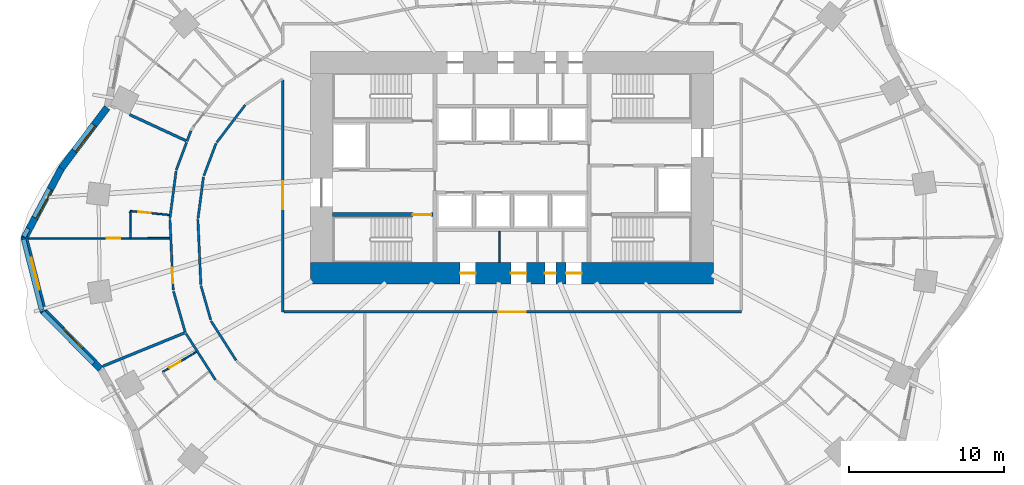
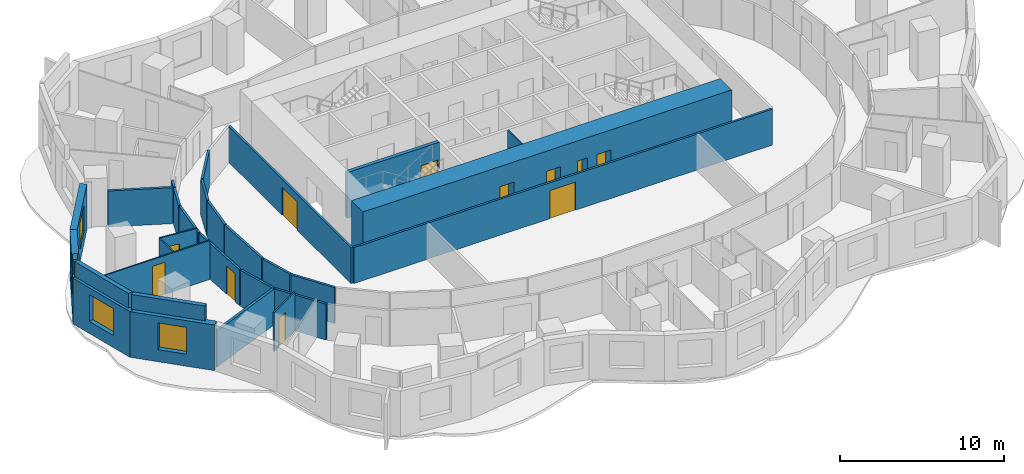
# One storey, part 4 of 11: 30 walls, 11 doors, 4 windows, 15 openings.
"""IFC4 building model written with IfcOpenShell, lengths in metres."""

from ifc_helpers import new_model, si_unit, direction, frame, frame_2d, origin, place, context, subcontext, project, spatial, rectangle, extrude, material, layer, layer_set, type_object, element, fill, save


model = new_model("IFC4")

# Units and contexts
model_context = context("Model", 3, precision=1e-05, world=origin(), true_north=direction((0.0, 1.0)))
body_context = subcontext(model_context, "Body", "Model", "MODEL_VIEW")
ifc_project = project(units=[si_unit("LENGTHUNIT", "METRE"), si_unit("AREAUNIT", "SQUARE_METRE"), si_unit("VOLUMEUNIT", "CUBIC_METRE"), si_unit("PLANEANGLEUNIT", "RADIAN"), si_unit("MASSUNIT", "GRAM", prefix="KILO")], contexts=[model_context])

# Site, building, storey
site_placement = place(None, origin())
site = spatial("IfcSite", under=ifc_project, at=site_placement, CompositionType="ELEMENT")
building_placement = place(site_placement, origin())
building = spatial("IfcBuilding", under=site, at=building_placement, Name="Rubra Terraces Tower", CompositionType="ELEMENT")
storey_placement = place(building_placement, frame((0.0, 0.0, 59.10009765625)))
storey = spatial("IfcBuildingStorey", under=building, at=storey_placement, Name="L12", CompositionType="ELEMENT", Elevation=59.10009765625)

# Walls
ifc_material_1 = material(Name="Twin plasterboard on staggered steel stud, acoustic mineral wool", Category="steel")
ifc_layer_1 = layer(ifc_material_1, 0.175048828125)
ifc_layer_set_1 = layer_set([ifc_layer_1], Name="Twin plasterboard on staggered steel stud, acoustic mineral wool")
wall_type_1 = type_object("IfcWallType", Name="ACOUSTIC PARTY WALL 175", PredefinedType="PARTITIONING", material=ifc_layer_set_1)
wall_1_placement = place(storey_placement, frame((-24.669189453125, 7.9287109375, 0.0), z_axis=(0.0, 0.0, 1.0), x_axis=(0.907438898331, -0.420184061807, 0.0)))
element("IfcWall", 1, at=wall_1_placement, inside=storey, type_object=wall_type_1, Name="PARTITION", PredefinedType="PARTITIONING", context=body_context, shape_type="SweptSolid", body=[
    extrude(rectangle(XDim=4.00048828125, YDim=0.175048828125, at=frame_2d((2.000244140625, 0.0))), origin(), (0.0, 0.0, 1.0), 2.679931640625),
])
wall_2_placement = place(storey_placement, frame((-26.414794921875, -8.309326171875, 0.0), z_axis=(0.0, 0.0, 1.0), x_axis=(0.925952792173, 0.377639281149, 0.0)))
element("IfcWall", 2, at=wall_2_placement, inside=storey, type_object=wall_type_1, Name="PARTITION", PredefinedType="PARTITIONING", context=body_context, shape_type="SweptSolid", body=[
    extrude(rectangle(XDim=5.6845703125, YDim=0.175048828125, at=frame_2d((2.84228515625, 0.0))), origin(), (0.0, 0.0, 1.0), 2.679931640625),
])

# Wall, opening, window
ifc_material_2 = material(Name="Brick masonry red-brown", Category="masonry")
ifc_layer_2 = layer(ifc_material_2, 0.449951171875)
ifc_layer_set_2 = layer_set([ifc_layer_2], Name="Brick masonry red-brown")
wall_type_2 = type_object("IfcWallType", Name="Brick facade wall 450", PredefinedType="SOLIDWALL", material=ifc_layer_set_2)
wall_3_placement = place(storey_placement, frame((-26.126220703125, 8.3837890625, 0.0), z_axis=(0.0, 0.0, 1.0), x_axis=(-0.602408101465, -0.798188248028, 0.0)))
wall_3 = element("IfcWall", 3, at=wall_3_placement, inside=storey, type_object=wall_type_2, Name="Facade wall L12 bay 19", PredefinedType="SOLIDWALL", context=body_context, shape_type="SweptSolid", body=[
    extrude(rectangle(XDim=4.909423828125, YDim=0.449951171875, at=frame_2d((2.45458984375, 0.0))), origin(), (0.0, 0.0, 1.0), 3.39990234375),
])
opening_1_placement = place(wall_3_placement, frame((1.40478515625, 0.0, 0.89990234375)))
opening_1 = element("IfcOpeningElement", 4, at=opening_1_placement, cuts=wall_3, Name="Opening W1", PredefinedType="OPENING", context=body_context, shape_type="SweptSolid", body=[
    extrude(rectangle(XDim=2.10009765625, YDim=2.0, at=frame_2d((1.050048828125, 1.0))), frame((0.0, 0.23486328125, 0.0), z_axis=(0.0, -1.0, 0.0), x_axis=(1.0, 0.0, 0.0)), (0.0, 0.0, 1.0), 0.469970703125),
])
ifc_material_3 = material(Name="Clear glass in aluminium frame", Category="aluminium")
window_type_1 = type_object("IfcWindowType", Name="Fixed deep-set window 2100 x 2000", PartitioningType="SINGLE_PANEL", PredefinedType="WINDOW", material=ifc_material_3)
window_1_placement = place(opening_1_placement, origin())
window_1 = element("IfcWindow", 5, at=window_1_placement, inside=storey, type_object=window_type_1, Name="Window L12 bay 19", OverallHeight=2.0, OverallWidth=2.10009765625, PartitioningType="SINGLE_PANEL", PredefinedType="WINDOW", context=body_context, shape_type="SweptSolid", body=[
    extrude(rectangle(XDim=2.10009765625, YDim=2.0, at=frame_2d((1.050048828125, 1.0))), frame((0.0, 0.135009765625, 0.0), z_axis=(0.0, -1.0, 0.0), x_axis=(1.0, 0.0, 0.0)), (0.0, 0.0, 1.0), 0.06005859375),
])
fill(opening_1, window_1)

wall_4_placement = place(storey_placement, frame((-29.065185546875, 4.4951171875, 0.0), z_axis=(0.0, 0.0, 1.0), x_axis=(-0.469010051546, -0.883192828067, 0.0)))
wall_4 = element("IfcWall", 6, at=wall_4_placement, inside=storey, type_object=wall_type_2, Name="Facade wall L12 bay 20", PredefinedType="SOLIDWALL", context=body_context, shape_type="SweptSolid", body=[
    extrude(rectangle(XDim=5.20556640625, YDim=0.449951171875, at=frame_2d((2.602783203125, 0.0))), origin(), (0.0, 0.0, 1.0), 3.39990234375),
])
opening_2_placement = place(wall_4_placement, frame((1.552734375, 0.0, 0.89990234375)))
opening_2 = element("IfcOpeningElement", 7, at=opening_2_placement, cuts=wall_4, Name="Opening W1", PredefinedType="OPENING", context=body_context, shape_type="SweptSolid", body=[
    extrude(rectangle(XDim=2.10009765625, YDim=2.0, at=frame_2d((1.050048828125, 1.0))), frame((0.0, 0.23486328125, 0.0), z_axis=(0.0, -1.0, 0.0), x_axis=(1.0, 0.0, 0.0)), (0.0, 0.0, 1.0), 0.469970703125),
])
window_2_placement = place(opening_2_placement, origin())
window_2 = element("IfcWindow", 8, at=window_2_placement, inside=storey, type_object=window_type_1, Name="Window L12 bay 20", OverallHeight=2.0, OverallWidth=2.10009765625, PartitioningType="SINGLE_PANEL", PredefinedType="WINDOW", context=body_context, shape_type="SweptSolid", body=[
    extrude(rectangle(XDim=2.10009765625, YDim=2.0, at=frame_2d((1.050048828125, 1.0))), frame((0.0, 0.135009765625, 0.0), z_axis=(0.0, -1.0, 0.0), x_axis=(1.0, 0.0, 0.0)), (0.0, 0.0, 1.0), 0.06005859375),
])
fill(opening_2, window_2)

wall_5_placement = place(storey_placement, frame((-31.489013671875, 0.0556640625, 0.0), z_axis=(0.0, 0.0, 1.0), x_axis=(0.247283399528, -0.968943197674, 0.0)))
wall_5 = element("IfcWall", 9, at=wall_5_placement, inside=storey, type_object=wall_type_2, Name="Facade wall L12 bay 21", PredefinedType="SOLIDWALL", context=body_context, shape_type="SweptSolid", body=[
    extrude(rectangle(XDim=4.98193359375, YDim=0.449951171875, at=frame_2d((2.490966796875, 0.0))), origin(), (0.0, 0.0, 1.0), 3.39990234375),
])
opening_3_placement = place(wall_5_placement, frame((1.44091796875, 0.0, 0.89990234375)))
opening_3 = element("IfcOpeningElement", 10, at=opening_3_placement, cuts=wall_5, Name="Opening W1", PredefinedType="OPENING", context=body_context, shape_type="SweptSolid", body=[
    extrude(rectangle(XDim=2.10009765625, YDim=2.0, at=frame_2d((1.050048828125, 1.0))), frame((0.0, 0.23486328125, 0.0), z_axis=(0.0, -1.0, 0.0), x_axis=(1.0, 0.0, 0.0)), (0.0, 0.0, 1.0), 0.469970703125),
])
window_3_placement = place(opening_3_placement, origin())
window_3 = element("IfcWindow", 11, at=window_3_placement, inside=storey, type_object=window_type_1, Name="Window L12 bay 21", OverallHeight=2.0, OverallWidth=2.10009765625, PartitioningType="SINGLE_PANEL", PredefinedType="WINDOW", context=body_context, shape_type="SweptSolid", body=[
    extrude(rectangle(XDim=2.10009765625, YDim=2.0, at=frame_2d((1.050048828125, 1.0))), frame((0.0, 0.135009765625, 0.0), z_axis=(0.0, -1.0, 0.0), x_axis=(1.0, 0.0, 0.0)), (0.0, 0.0, 1.0), 0.06005859375),
])
fill(opening_3, window_3)

wall_6_placement = place(storey_placement, frame((-30.310791015625, -4.673095703125, 0.0), z_axis=(0.0, 0.0, 1.0), x_axis=(0.701580441607, -0.712590263724, 0.0)))
wall_6 = element("IfcWall", 12, at=wall_6_placement, inside=storey, type_object=wall_type_2, Name="Facade wall L12 bay 22", PredefinedType="SOLIDWALL", context=body_context, shape_type="SweptSolid", body=[
    extrude(rectangle(XDim=5.3662109375, YDim=0.449951171875, at=frame_2d((2.68310546875, 0.0))), origin(), (0.0, 0.0, 1.0), 3.39990234375),
])
opening_4_placement = place(wall_6_placement, frame((1.783203125, 0.0, 0.89990234375)))
opening_4 = element("IfcOpeningElement", 13, at=opening_4_placement, cuts=wall_6, Name="Opening W6", PredefinedType="OPENING", context=body_context, shape_type="SweptSolid", body=[
    extrude(rectangle(XDim=1.800048828125, YDim=2.0, at=frame_2d((0.89990234375, 1.0))), frame((0.0, 0.23486328125, 0.0), z_axis=(0.0, -1.0, 0.0), x_axis=(1.0, 0.0, 0.0)), (0.0, 0.0, 1.0), 0.469970703125),
])
window_type_2 = type_object("IfcWindowType", Name="Fixed deep-set window at wind fin 1800 x 2000", PartitioningType="SINGLE_PANEL", PredefinedType="WINDOW", material=ifc_material_3)
window_4_placement = place(opening_4_placement, origin())
window_4 = element("IfcWindow", 14, at=window_4_placement, inside=storey, type_object=window_type_2, Name="Window L12 bay 22", OverallHeight=2.0, OverallWidth=1.800048828125, PartitioningType="SINGLE_PANEL", PredefinedType="WINDOW", context=body_context, shape_type="SweptSolid", body=[
    extrude(rectangle(XDim=1.800048828125, YDim=2.0, at=frame_2d((0.89990234375, 1.0))), frame((0.0, 0.135009765625, 0.0), z_axis=(0.0, -1.0, 0.0), x_axis=(1.0, 0.0, 0.0)), (0.0, 0.0, 1.0), 0.06005859375),
])
fill(opening_4, window_4)

# Walls
ifc_layer_3 = layer(ifc_material_2, 0.300048828125)
ifc_layer_set_3 = layer_set([ifc_layer_3], Name="Brick masonry red-brown")
wall_type_3 = type_object("IfcWallType", Name="Brick parapet 300", PredefinedType="PARAPET", material=ifc_layer_set_3)
wall_7_placement = place(storey_placement, frame((-31.2265625, 0.584716796875, 3.599853515625), z_axis=(0.0, 0.0, 1.0), x_axis=(-0.469205161074, -0.883089189619, 0.0)))
element("IfcWall", 15, at=wall_7_placement, inside=storey, type_object=wall_type_3, Name="Parapet L12 bay 20", PredefinedType="PARAPET", context=body_context, shape_type="SweptSolid", body=[
    extrude(rectangle(XDim=0.595703125, YDim=0.300048828125, at=frame_2d((0.2978515625, 0.0))), origin(), (0.0, 0.0, 1.0), 1.10009765625),
])
wall_8_placement = place(storey_placement, frame((-31.525634765625, -0.1044921875, 3.599853515625), z_axis=(0.0, 0.0, 1.0), x_axis=(0.247310993439, -0.96893615503, 0.0)))
element("IfcWall", 16, at=wall_8_placement, inside=storey, type_object=wall_type_3, Name="Parapet L12 bay 21", PredefinedType="PARAPET", context=body_context, shape_type="SweptSolid", body=[
    extrude(rectangle(XDim=4.724609375, YDim=0.300048828125, at=frame_2d((2.3623046875, 0.0))), origin(), (0.0, 0.0, 1.0), 1.10009765625),
])
wall_9_placement = place(storey_placement, frame((-30.290283203125, -4.801025390625, 3.599853515625), z_axis=(0.0, 0.0, 1.0), x_axis=(0.701637806996, -0.712533780107, 0.0)))
element("IfcWall", 17, at=wall_9_placement, inside=storey, type_object=wall_type_3, Name="Parapet L12 bay 22", PredefinedType="PARAPET", context=body_context, shape_type="SweptSolid", body=[
    extrude(rectangle(XDim=4.66064453125, YDim=0.300048828125, at=frame_2d((2.330322265625, 0.0))), origin(), (0.0, 0.0, 1.0), 1.10009765625),
])

# Wall, openings, doors
ifc_material_4 = material(Name="Concrete C70", Category="concrete")
ifc_layer_4 = layer(ifc_material_4, 1.39990234375)
ifc_layer_set_4 = layer_set([ifc_layer_4], Name="Concrete C70")
wall_type_4 = type_object("IfcWallType", Name="CORE WALL 1400 C70", PredefinedType="SHEAR", material=ifc_layer_set_4)
wall_10_placement = place(storey_placement, frame((-13.0, -2.300048828125, 0.0), z_axis=(0.0, 0.0, 1.0), x_axis=(1.0, 0.0, 0.0)))
wall_10 = element("IfcWall", 18, at=wall_10_placement, inside=storey, type_object=wall_type_4, Name="CORE WALL S L12", PredefinedType="SHEAR", context=body_context, shape_type="SweptSolid", body=[
    extrude(rectangle(XDim=26.0, YDim=1.39990234375, at=frame_2d((13.0, 0.0))), origin(), (0.0, 0.0, 1.0), 3.599853515625),
])
opening_5_placement = place(wall_10_placement, frame((9.64990234375, 0.0, 0.0)))
opening_5 = element("IfcOpeningElement", 19, at=opening_5_placement, cuts=wall_10, Name="Opening L12.C19", PredefinedType="OPENING", context=body_context, shape_type="SweptSolid", body=[
    extrude(rectangle(XDim=1.0, YDim=2.10009765625, at=frame_2d((0.5, 1.050048828125))), frame((0.0, 0.7099609375, 0.0), z_axis=(0.0, -1.0, 0.0), x_axis=(1.0, 0.0, 0.0)), (0.0, 0.0, 1.0), 1.419921875),
])
opening_6_placement = place(wall_10_placement, frame((12.925048828125, 0.0, 0.0)))
opening_6 = element("IfcOpeningElement", 20, at=opening_6_placement, cuts=wall_10, Name="Opening L12.C20", PredefinedType="OPENING", context=body_context, shape_type="SweptSolid", body=[
    extrude(rectangle(XDim=1.0, YDim=2.10009765625, at=frame_2d((0.5, 1.050048828125))), frame((0.0, 0.7099609375, 0.0), z_axis=(0.0, -1.0, 0.0), x_axis=(1.0, 0.0, 0.0)), (0.0, 0.0, 1.0), 1.419921875),
])
opening_7_placement = place(wall_10_placement, frame((15.125, 0.0, 0.0)))
opening_7 = element("IfcOpeningElement", 21, at=opening_7_placement, cuts=wall_10, Name="Opening L12.C21", PredefinedType="OPENING", context=body_context, shape_type="SweptSolid", body=[
    extrude(rectangle(XDim=0.699951171875, YDim=2.10009765625, at=frame_2d((0.35009765625, 1.050048828125))), frame((0.0, 0.7099609375, 0.0), z_axis=(0.0, -1.0, 0.0), x_axis=(1.0, 0.0, 0.0)), (0.0, 0.0, 1.0), 1.419921875),
])
opening_8_placement = place(wall_10_placement, frame((16.5, 0.0, 0.0)))
opening_8 = element("IfcOpeningElement", 22, at=opening_8_placement, cuts=wall_10, Name="Opening L12.C22", PredefinedType="OPENING", context=body_context, shape_type="SweptSolid", body=[
    extrude(rectangle(XDim=1.0, YDim=2.10009765625, at=frame_2d((0.5, 1.050048828125))), frame((0.0, 0.7099609375, 0.0), z_axis=(0.0, -1.0, 0.0), x_axis=(1.0, 0.0, 0.0)), (0.0, 0.0, 1.0), 1.419921875),
])
ifc_material_5 = material(Name="Painted steel", Category="steel")
door_type_1 = type_object("IfcDoorType", Name="Fire door 1000x2100 single", OperationType="NOTDEFINED", PredefinedType="DOOR", material=ifc_material_5)
door_1_placement = place(opening_5_placement, origin())
door_1 = element("IfcDoor", 23, at=door_1_placement, inside=storey, type_object=door_type_1, Name="Linen store door", OperationType="SINGLE_SWING_LEFT", OverallHeight=2.10009765625, OverallWidth=1.0, PredefinedType="DOOR", context=body_context, shape_type="SweptSolid", body=[
    extrude(rectangle(XDim=1.0, YDim=2.10009765625, at=frame_2d((0.5, 1.050048828125))), frame((0.0, 0.02490234375, 0.0), z_axis=(0.0, -1.0, 0.0), x_axis=(1.0, 0.0, 0.0)), (0.0, 0.0, 1.0), 0.050048828125),
])
fill(opening_5, door_1)
door_2_placement = place(opening_6_placement, origin())
door_2 = element("IfcDoor", 24, at=door_2_placement, inside=storey, type_object=door_type_1, Name="Guest pantry door", OperationType="SINGLE_SWING_RIGHT", OverallHeight=2.10009765625, OverallWidth=1.0, PredefinedType="DOOR", context=body_context, shape_type="SweptSolid", body=[
    extrude(rectangle(XDim=1.0, YDim=2.10009765625, at=frame_2d((0.5, 1.050048828125))), frame((0.0, 0.02490234375, 0.0), z_axis=(0.0, -1.0, 0.0), x_axis=(1.0, 0.0, 0.0)), (0.0, 0.0, 1.0), 0.050048828125),
])
fill(opening_6, door_2)
door_3_placement = place(opening_8_placement, origin())
door_3 = element("IfcDoor", 25, at=door_3_placement, inside=storey, type_object=door_type_1, Name="Refuse room door", OperationType="SINGLE_SWING_RIGHT", OverallHeight=2.10009765625, OverallWidth=1.0, PredefinedType="DOOR", context=body_context, shape_type="SweptSolid", body=[
    extrude(rectangle(XDim=1.0, YDim=2.10009765625, at=frame_2d((0.5, 1.050048828125))), frame((0.0, 0.02490234375, 0.0), z_axis=(0.0, -1.0, 0.0), x_axis=(1.0, 0.0, 0.0)), (0.0, 0.0, 1.0), 0.050048828125),
])
fill(opening_8, door_3)
door_type_2 = type_object("IfcDoorType", Name="Riser access door 700x2100 single", OperationType="NOTDEFINED", PredefinedType="DOOR", material=ifc_material_5)
door_4_placement = place(opening_7_placement, origin())
door_4 = element("IfcDoor", 26, at=door_4_placement, inside=storey, type_object=door_type_2, Name="Telecoms room door", OperationType="SINGLE_SWING_LEFT", OverallHeight=2.10009765625, OverallWidth=0.699951171875, PredefinedType="DOOR", context=body_context, shape_type="SweptSolid", body=[
    extrude(rectangle(XDim=0.699951171875, YDim=2.10009765625, at=frame_2d((0.35009765625, 1.050048828125))), frame((0.0, 0.02490234375, 0.0), z_axis=(0.0, -1.0, 0.0), x_axis=(1.0, 0.0, 0.0)), (0.0, 0.0, 1.0), 0.050048828125),
])
fill(opening_7, door_4)

# Walls
ifc_material_6 = material(Name="Plasterboard on steel stud, mineral wool infill", Category="steel")
ifc_layer_5 = layer(ifc_material_6, 0.14990234375)
ifc_layer_set_5 = layer_set([ifc_layer_5], Name="Plasterboard on steel stud, mineral wool infill")
wall_type_5 = type_object("IfcWallType", Name="CORRIDOR PARTITION 150", PredefinedType="PARTITIONING", material=ifc_layer_set_5)
wall_11_placement = place(storey_placement, frame((-20.719970703125, 6.884521484375, 0.0), z_axis=(0.0, 0.0, 1.0), x_axis=(-0.351610674972, -0.936146320425, 0.0)))
element("IfcWall", 27, at=wall_11_placement, inside=storey, type_object=wall_type_5, Name="PARTITION", PredefinedType="PARTITIONING", context=body_context, shape_type="SweptSolid", body=[
    extrude(rectangle(XDim=0.7138671875, YDim=0.14990234375, at=frame_2d((0.35693359375, 0.0))), origin(), (0.0, 0.0, 1.0), 2.679931640625),
])
wall_12_placement = place(storey_placement, frame((-20.997314453125, 6.14599609375, 0.0), z_axis=(0.0, 0.0, 1.0), x_axis=(-0.35150189194, -0.936187171437, 0.0)))
element("IfcWall", 28, at=wall_12_placement, inside=storey, type_object=wall_type_5, Name="PARTITION", PredefinedType="PARTITIONING", context=body_context, shape_type="SweptSolid", body=[
    extrude(rectangle(XDim=1.90869140625, YDim=0.14990234375, at=frame_2d((0.954345703125, 0.0))), origin(), (0.0, 0.0, 1.0), 2.679931640625),
])
wall_13_placement = place(storey_placement, frame((-21.677978515625, 4.28466796875, 0.0), z_axis=(0.0, 0.0, 1.0), x_axis=(-0.129922755307, -0.991524118543, 0.0)))
element("IfcWall", 29, at=wall_13_placement, inside=storey, type_object=wall_type_5, Name="PARTITION", PredefinedType="PARTITIONING", context=body_context, shape_type="SweptSolid", body=[
    extrude(rectangle(XDim=3.076171875, YDim=0.14990234375, at=frame_2d((1.5380859375, 0.0))), origin(), (0.0, 0.0, 1.0), 2.679931640625),
])

# Wall, opening, door
wall_14_placement = place(storey_placement, frame((-22.07421875, 1.159912109375, 0.0), z_axis=(0.0, 0.0, 1.0), x_axis=(0.045857215204, -0.99894800456, 0.0)))
wall_14 = element("IfcWall", 30, at=wall_14_placement, inside=storey, type_object=wall_type_5, Name="PARTITION", PredefinedType="PARTITIONING", context=body_context, shape_type="SweptSolid", body=[
    extrude(rectangle(XDim=4.557373046875, YDim=0.14990234375, at=frame_2d((2.27880859375, 0.0))), origin(), (0.0, 0.0, 1.0), 2.679931640625),
])
opening_9_placement = place(wall_14_placement, frame((3.10009765625, 0.0, 0.0)))
opening_9 = element("IfcOpeningElement", 31, at=opening_9_placement, cuts=wall_14, Name="Opening 12-109", PredefinedType="OPENING", context=body_context, shape_type="SweptSolid", body=[
    extrude(rectangle(XDim=1.0, YDim=2.10009765625, at=frame_2d((0.5, 1.050048828125))), frame((0.0, 0.0849609375, 0.0), z_axis=(0.0, -1.0, 0.0), x_axis=(1.0, 0.0, 0.0)), (0.0, 0.0, 1.0), 0.169921875),
])
ifc_material_7 = material(Name="Painted timber door leaf", Category="wood")
door_type_3 = type_object("IfcDoorType", Name="ROOM DOOR 1000 X 2100", OperationType="SINGLE_SWING_LEFT", PredefinedType="DOOR", material=ifc_material_7)
door_5_placement = place(opening_9_placement, origin())
door_5 = element("IfcDoor", 32, at=door_5_placement, inside=storey, type_object=door_type_3, Name="DOOR 12-109", OperationType="SINGLE_SWING_RIGHT", OverallHeight=2.10009765625, OverallWidth=1.0, PredefinedType="DOOR", context=body_context, shape_type="SweptSolid", body=[
    extrude(rectangle(XDim=1.0, YDim=2.10009765625, at=frame_2d((0.5, 1.050048828125))), frame((0.0, 0.02490234375, 0.0), z_axis=(0.0, -1.0, 0.0), x_axis=(1.0, 0.0, 0.0)), (0.0, 0.0, 1.0), 0.050048828125),
])
fill(opening_9, door_5)

# Walls
wall_15_placement = place(storey_placement, frame((-21.8447265625, -3.46484375, 0.0), z_axis=(0.0, 0.0, 1.0), x_axis=(0.274802426954, -0.961500715621, 0.0)))
element("IfcWall", 33, at=wall_15_placement, inside=storey, type_object=wall_type_5, Name="PARTITION", PredefinedType="PARTITIONING", context=body_context, shape_type="SweptSolid", body=[
    extrude(rectangle(XDim=2.7763671875, YDim=0.14990234375, at=frame_2d((1.38818359375, 0.0))), origin(), (0.0, 0.0, 1.0), 2.679931640625),
])
wall_16_placement = place(storey_placement, frame((-21.04150390625, -6.197509765625, 0.0), z_axis=(0.0, 0.0, 1.0), x_axis=(0.537471214522, -0.843282096075, 0.0)))
element("IfcWall", 34, at=wall_16_placement, inside=storey, type_object=wall_type_5, Name="PARTITION", PredefinedType="PARTITIONING", context=body_context, shape_type="SweptSolid", body=[
    extrude(rectangle(XDim=3.552490234375, YDim=0.14990234375, at=frame_2d((1.7763671875, 0.0))), origin(), (0.0, 0.0, 1.0), 2.679931640625),
])
wall_17_placement = place(storey_placement, frame((-17.805419921875, -7.925537109375, 0.0), z_axis=(0.0, 0.0, 1.0), x_axis=(-0.537721158465, 0.843122740613, 0.0)))
element("IfcWall", 35, at=wall_17_placement, inside=storey, type_object=wall_type_5, Name="PARTITION", PredefinedType="PARTITIONING", context=body_context, shape_type="SweptSolid", body=[
    extrude(rectangle(XDim=3.006591796875, YDim=0.14990234375, at=frame_2d((1.50341796875, 0.0))), origin(), (0.0, 0.0, 1.0), 2.679931640625),
])
wall_18_placement = place(storey_placement, frame((-19.44287109375, -5.318603515625, 0.0), z_axis=(0.0, 0.0, 1.0), x_axis=(-0.274791002319, 0.961503980774, 0.0)))
element("IfcWall", 36, at=wall_18_placement, inside=storey, type_object=wall_type_5, Name="PARTITION", PredefinedType="PARTITIONING", context=body_context, shape_type="SweptSolid", body=[
    extrude(rectangle(XDim=2.307373046875, YDim=0.14990234375, at=frame_2d((1.15380859375, 0.0))), origin(), (0.0, 0.0, 1.0), 2.679931640625),
])
wall_19_placement = place(storey_placement, frame((-20.080322265625, -3.025390625, 0.0), z_axis=(0.0, 0.0, 1.0), x_axis=(-0.04581750387, 0.998949826738, 0.0)))
element("IfcWall", 37, at=wall_19_placement, inside=storey, type_object=wall_type_5, Name="PARTITION", PredefinedType="PARTITIONING", context=body_context, shape_type="SweptSolid", body=[
    extrude(rectangle(XDim=4.188232421875, YDim=0.14990234375, at=frame_2d((2.09423828125, 0.0))), origin(), (0.0, 0.0, 1.0), 2.679931640625),
])
wall_20_placement = place(storey_placement, frame((-20.262451171875, 1.23291015625, 0.0), z_axis=(0.0, 0.0, 1.0), x_axis=(0.129897568593, 0.991527418518, 0.0)))
element("IfcWall", 38, at=wall_20_placement, inside=storey, type_object=wall_type_5, Name="PARTITION", PredefinedType="PARTITIONING", context=body_context, shape_type="SweptSolid", body=[
    extrude(rectangle(XDim=2.710205078125, YDim=0.14990234375, at=frame_2d((1.35498046875, 0.0))), origin(), (0.0, 0.0, 1.0), 2.679931640625),
])
wall_21_placement = place(storey_placement, frame((-19.8837890625, 3.990234375, 0.0), z_axis=(0.0, 0.0, 1.0), x_axis=(0.351423736928, 0.936216511884, 0.0)))
element("IfcWall", 39, at=wall_21_placement, inside=storey, type_object=wall_type_5, Name="PARTITION", PredefinedType="PARTITIONING", context=body_context, shape_type="SweptSolid", body=[
    extrude(rectangle(XDim=2.227294921875, YDim=0.14990234375, at=frame_2d((1.11376953125, 0.0))), origin(), (0.0, 0.0, 1.0), 2.679931640625),
])
wall_22_placement = place(storey_placement, frame((-19.0556640625, 6.135009765625, 0.0), z_axis=(0.0, 0.0, 1.0), x_axis=(0.604999774258, 0.796225642107, 0.0)))
element("IfcWall", 40, at=wall_22_placement, inside=storey, type_object=wall_type_5, Name="PARTITION", PredefinedType="PARTITIONING", context=body_context, shape_type="SweptSolid", body=[
    extrude(rectangle(XDim=3.039794921875, YDim=0.14990234375, at=frame_2d((1.52001953125, 0.0))), origin(), (0.0, 0.0, 1.0), 2.679931640625),
])

# Wall, opening, door
wall_23_placement = place(storey_placement, frame((-14.800048828125, 10.159912109375, 0.0), z_axis=(0.0, 0.0, 1.0), x_axis=(0.0, -1.0, 0.0)))
wall_23 = element("IfcWall", 41, at=wall_23_placement, inside=storey, type_object=wall_type_5, Name="PARTITION", PredefinedType="PARTITIONING", context=body_context, shape_type="SweptSolid", body=[
    extrude(rectangle(XDim=14.9599609375, YDim=0.14990234375, at=frame_2d((7.47998046875, 0.0))), origin(), (0.0, 0.0, 1.0), 2.679931640625),
])
opening_10_placement = place(wall_23_placement, frame((6.5419921875, 0.0, 0.0)))
opening_10 = element("IfcOpeningElement", 42, at=opening_10_placement, cuts=wall_23, Name="Opening 12-135", PredefinedType="OPENING", context=body_context, shape_type="SweptSolid", body=[
    extrude(rectangle(XDim=1.800048828125, YDim=2.10009765625, at=frame_2d((0.89990234375, 1.050048828125))), frame((0.0, 0.0849609375, 0.0), z_axis=(0.0, -1.0, 0.0), x_axis=(1.0, 0.0, 0.0)), (0.0, 0.0, 1.0), 0.169921875),
])
ifc_material_8 = material(Name="Painted timber door leaf, double", Category="wood")
door_type_4 = type_object("IfcDoorType", Name="ROOM DOUBLE DOOR 1800 X 2100", OperationType="DOUBLE_DOOR_SINGLE_SWING", PredefinedType="DOOR", material=ifc_material_8)
door_6_placement = place(opening_10_placement, origin())
door_6 = element("IfcDoor", 43, at=door_6_placement, inside=storey, type_object=door_type_4, Name="DOOR 12-135", OperationType="DOUBLE_DOOR_SINGLE_SWING", OverallHeight=2.10009765625, OverallWidth=1.800048828125, PredefinedType="DOOR", context=body_context, shape_type="SweptSolid", body=[
    extrude(rectangle(XDim=1.800048828125, YDim=2.10009765625, at=frame_2d((0.89990234375, 1.050048828125))), frame((0.0, 0.02490234375, 0.0), z_axis=(0.0, -1.0, 0.0), x_axis=(1.0, 0.0, 0.0)), (0.0, 0.0, 1.0), 0.050048828125),
])
fill(opening_10, door_6)

wall_24_placement = place(storey_placement, frame((-14.72509765625, -4.800048828125, 0.0), z_axis=(0.0, 0.0, 1.0), x_axis=(1.0, 0.0, 0.0)))
wall_24 = element("IfcWall", 44, at=wall_24_placement, inside=storey, type_object=wall_type_5, Name="PARTITION", PredefinedType="PARTITIONING", context=body_context, shape_type="SweptSolid", body=[
    extrude(rectangle(XDim=29.525146484375, YDim=0.14990234375, at=frame_2d((14.7626953125, 0.0))), origin(), (0.0, 0.0, 1.0), 2.679931640625),
])
opening_11_placement = place(wall_24_placement, frame((13.824951171875, 0.0, 0.0)))
opening_11 = element("IfcOpeningElement", 45, at=opening_11_placement, cuts=wall_24, Name="Opening 12-136", PredefinedType="OPENING", context=body_context, shape_type="SweptSolid", body=[
    extrude(rectangle(XDim=1.800048828125, YDim=2.10009765625, at=frame_2d((0.89990234375, 1.050048828125))), frame((0.0, 0.0849609375, 0.0), z_axis=(0.0, -1.0, 0.0), x_axis=(1.0, 0.0, 0.0)), (0.0, 0.0, 1.0), 0.169921875),
])
door_7_placement = place(opening_11_placement, origin())
door_7 = element("IfcDoor", 46, at=door_7_placement, inside=storey, type_object=door_type_4, Name="DOOR 12-136", OperationType="DOUBLE_DOOR_SINGLE_SWING", OverallHeight=2.10009765625, OverallWidth=1.800048828125, PredefinedType="DOOR", context=body_context, shape_type="SweptSolid", body=[
    extrude(rectangle(XDim=1.800048828125, YDim=2.10009765625, at=frame_2d((0.89990234375, 1.050048828125))), frame((0.0, 0.02490234375, 0.0), z_axis=(0.0, -1.0, 0.0), x_axis=(1.0, 0.0, 0.0)), (0.0, 0.0, 1.0), 0.050048828125),
])
fill(opening_11, door_7)

ifc_material_9 = material(Name="Plasterboard on steel stud", Category="steel")
ifc_layer_6 = layer(ifc_material_9, 0.10009765625)
ifc_layer_set_6 = layer_set([ifc_layer_6], Name="Plasterboard on steel stud")
wall_type_6 = type_object("IfcWallType", Name="ROOM PARTITION 100", PredefinedType="PARTITIONING", material=ifc_layer_set_6)
wall_25_placement = place(storey_placement, frame((-31.223388671875, -0.057373046875, 0.0), z_axis=(0.0, 0.0, 1.0), x_axis=(0.999999275952, 0.001203368563, 0.0)))
wall_25 = element("IfcWall", 47, at=wall_25_placement, inside=storey, type_object=wall_type_6, Name="PARTITION", PredefinedType="PARTITIONING", context=body_context, shape_type="SweptSolid", body=[
    extrude(rectangle(XDim=9.129638671875, YDim=0.10009765625, at=frame_2d((4.56494140625, 0.0))), origin(), (0.0, 0.0, 1.0), 2.89794921875),
])
opening_12_placement = place(wall_25_placement, frame((5.054931640625, 0.0, 0.0)))
opening_12 = element("IfcOpeningElement", 48, at=opening_12_placement, cuts=wall_25, Name="Opening 12-108", PredefinedType="OPENING", context=body_context, shape_type="SweptSolid", body=[
    extrude(rectangle(XDim=0.89990234375, YDim=2.39990234375, at=frame_2d((0.449951171875, 1.199951171875))), frame((0.0, 0.06005859375, 0.0), z_axis=(0.0, -1.0, 0.0), x_axis=(1.0, 0.0, 0.0)), (0.0, 0.0, 1.0), 0.1201171875),
])
ifc_material_10 = material(Name="Veneered timber door leaf, fire-rated", Category="wood")
door_type_5 = type_object("IfcDoorType", Name="SUITE ENTRANCE DOOR 900 X 2400", OperationType="SINGLE_SWING_LEFT", PredefinedType="DOOR", material=ifc_material_10)
door_8_placement = place(opening_12_placement, origin())
door_8 = element("IfcDoor", 49, at=door_8_placement, inside=storey, type_object=door_type_5, Name="DOOR 12-108", OperationType="SINGLE_SWING_LEFT", OverallHeight=2.39990234375, OverallWidth=0.89990234375, PredefinedType="DOOR", context=body_context, shape_type="SweptSolid", body=[
    extrude(rectangle(XDim=0.89990234375, YDim=2.39990234375, at=frame_2d((0.449951171875, 1.199951171875))), frame((0.0, 0.02490234375, 0.0), z_axis=(0.0, -1.0, 0.0), x_axis=(1.0, 0.0, 0.0)), (0.0, 0.0, 1.0), 0.050048828125),
])
fill(opening_12, door_8)

wall_26_placement = place(storey_placement, frame((-22.123779296875, 1.457763671875, 0.0), z_axis=(0.0, 0.0, 1.0), x_axis=(-0.995087791944, 0.098996395507, 0.0)))
wall_26 = element("IfcWall", 50, at=wall_26_placement, inside=storey, type_object=wall_type_6, Name="PARTITION", PredefinedType="PARTITIONING", context=body_context, shape_type="SweptSolid", body=[
    extrude(rectangle(XDim=2.525390625, YDim=0.10009765625, at=frame_2d((1.2626953125, 0.0))), origin(), (0.0, 0.0, 1.0), 2.89794921875),
])
opening_13_placement = place(wall_26_placement, frame((1.199951171875, 0.0, 0.0)))
opening_13 = element("IfcOpeningElement", 51, at=opening_13_placement, cuts=wall_26, Name="Opening 12-107", PredefinedType="OPENING", context=body_context, shape_type="SweptSolid", body=[
    extrude(rectangle(XDim=0.800048828125, YDim=2.10009765625, at=frame_2d((0.39990234375, 1.050048828125))), frame((0.0, 0.06005859375, 0.0), z_axis=(0.0, -1.0, 0.0), x_axis=(1.0, 0.0, 0.0)), (0.0, 0.0, 1.0), 0.1201171875),
])
door_type_6 = type_object("IfcDoorType", Name="BATHROOM DOOR 800 X 2100", OperationType="SINGLE_SWING_LEFT", PredefinedType="DOOR", material=ifc_material_7)
door_9_placement = place(opening_13_placement, origin())
door_9 = element("IfcDoor", 52, at=door_9_placement, inside=storey, type_object=door_type_6, Name="DOOR 12-107", OperationType="SINGLE_SWING_LEFT", OverallHeight=2.10009765625, OverallWidth=0.800048828125, PredefinedType="DOOR", context=body_context, shape_type="SweptSolid", body=[
    extrude(rectangle(XDim=0.800048828125, YDim=2.10009765625, at=frame_2d((0.39990234375, 1.050048828125))), frame((0.0, 0.02490234375, 0.0), z_axis=(0.0, -1.0, 0.0), x_axis=(1.0, 0.0, 0.0)), (0.0, 0.0, 1.0), 0.050048828125),
])
fill(opening_13, door_9)

# Wall
wall_27_placement = place(storey_placement, frame((-24.635986328125, 1.65771484375, 0.0), z_axis=(0.0, 0.0, 1.0), x_axis=(0.010017175637, -0.999949826837, 0.0)))
element("IfcWall", 53, at=wall_27_placement, inside=storey, type_object=wall_type_6, Name="PARTITION", PredefinedType="PARTITIONING", context=body_context, shape_type="SweptSolid", body=[
    extrude(rectangle(XDim=1.6572265625, YDim=0.10009765625, at=frame_2d((0.82861328125, 0.0))), origin(), (0.0, 0.0, 1.0), 2.89794921875),
])

# Wall, opening, door
wall_28_placement = place(storey_placement, frame((-20.373779296875, -7.385498046875, 0.0), z_axis=(0.0, 0.0, 1.0), x_axis=(-0.859864028729, -0.510523116124, 0.0)))
wall_28 = element("IfcWall", 54, at=wall_28_placement, inside=storey, type_object=wall_type_6, Name="PARTITION", PredefinedType="PARTITIONING", context=body_context, shape_type="SweptSolid", body=[
    extrude(rectangle(XDim=2.52490234375, YDim=0.10009765625, at=frame_2d((1.262451171875, 0.0))), origin(), (0.0, 0.0, 1.0), 2.89794921875),
])
opening_14_placement = place(wall_28_placement, frame((1.199951171875, 0.0, 0.0)))
opening_14 = element("IfcOpeningElement", 55, at=opening_14_placement, cuts=wall_28, Name="Opening 12-110", PredefinedType="OPENING", context=body_context, shape_type="SweptSolid", body=[
    extrude(rectangle(XDim=0.800048828125, YDim=2.10009765625, at=frame_2d((0.39990234375, 1.050048828125))), frame((0.0, 0.06005859375, 0.0), z_axis=(0.0, -1.0, 0.0), x_axis=(1.0, 0.0, 0.0)), (0.0, 0.0, 1.0), 0.1201171875),
])
door_10_placement = place(opening_14_placement, origin())
door_10 = element("IfcDoor", 56, at=door_10_placement, inside=storey, type_object=door_type_6, Name="DOOR 12-110", OperationType="SINGLE_SWING_LEFT", OverallHeight=2.10009765625, OverallWidth=0.800048828125, PredefinedType="DOOR", context=body_context, shape_type="SweptSolid", body=[
    extrude(rectangle(XDim=0.800048828125, YDim=2.10009765625, at=frame_2d((0.39990234375, 1.050048828125))), frame((0.0, 0.02490234375, 0.0), z_axis=(0.0, -1.0, 0.0), x_axis=(1.0, 0.0, 0.0)), (0.0, 0.0, 1.0), 0.050048828125),
])
fill(opening_14, door_10)

# Wall
ifc_material_11 = material(Name="Blockwork", Category="masonry")
ifc_layer_7 = layer(ifc_material_11, 0.10009765625)
ifc_layer_set_7 = layer_set([ifc_layer_7], Name="Blockwork")
wall_type_7 = type_object("IfcWallType", Name="Service partition 100 blockwork", PredefinedType="PARTITIONING", material=ifc_layer_set_7)
wall_29_placement = place(storey_placement, frame((-0.800048828125, -1.60009765625, 0.0), z_axis=(0.0, 0.0, 1.0), x_axis=(0.0, 1.0, 0.0)))
element("IfcWall", 57, at=wall_29_placement, inside=storey, type_object=wall_type_7, Name="SERVICE ROOM PARTITION L12", PredefinedType="PARTITIONING", context=body_context, shape_type="SweptSolid", body=[
    extrude(rectangle(XDim=2.0, YDim=0.10009765625, at=frame_2d((1.0, 0.0))), origin(), (0.0, 0.0, 1.0), 3.39990234375),
])

# Wall, opening, door
ifc_material_12 = material(Name="Concrete C40", Category="concrete")
ifc_layer_8 = layer(ifc_material_12, 0.25)
ifc_layer_set_8 = layer_set([ifc_layer_8], Name="Concrete C40")
wall_type_8 = type_object("IfcWallType", Name="Stair enclosure wall 250 concrete", PredefinedType="SOLIDWALL", material=ifc_layer_set_8)
wall_30_placement = place(storey_placement, frame((-11.60009765625, 1.47509765625, 0.0), z_axis=(0.0, 0.0, 1.0), x_axis=(1.0, 0.0, 0.0)))
wall_30 = element("IfcWall", 58, at=wall_30_placement, inside=storey, type_object=wall_type_8, Name="STAIR WALL L12", PredefinedType="SOLIDWALL", context=body_context, shape_type="SweptSolid", body=[
    extrude(rectangle(XDim=6.5, YDim=0.25, at=frame_2d((3.25, 0.0))), origin(), (0.0, 0.0, 1.0), 3.39990234375),
])
opening_15_placement = place(wall_30_placement, frame((5.199951171875, 0.0, 0.0)))
opening_15 = element("IfcOpeningElement", 59, at=opening_15_placement, cuts=wall_30, Name="Opening L12.C07", PredefinedType="OPENING", context=body_context, shape_type="SweptSolid", body=[
    extrude(rectangle(XDim=1.199951171875, YDim=2.10009765625, at=frame_2d((0.60009765625, 1.050048828125))), frame((0.0, 0.135009765625, 0.0), z_axis=(0.0, -1.0, 0.0), x_axis=(1.0, 0.0, 0.0)), (0.0, 0.0, 1.0), 0.27001953125),
])
door_type_7 = type_object("IfcDoorType", Name="Fire door 1200x2100 single", OperationType="NOTDEFINED", PredefinedType="DOOR", material=ifc_material_5)
door_11_placement = place(opening_15_placement, origin())
door_11 = element("IfcDoor", 60, at=door_11_placement, inside=storey, type_object=door_type_7, Name="Stair door S1", OperationType="SINGLE_SWING_LEFT", OverallHeight=2.10009765625, OverallWidth=1.199951171875, PredefinedType="DOOR", context=body_context, shape_type="SweptSolid", body=[
    extrude(rectangle(XDim=1.199951171875, YDim=2.10009765625, at=frame_2d((0.60009765625, 1.050048828125))), frame((0.0, 0.02490234375, 0.0), z_axis=(0.0, -1.0, 0.0), x_axis=(1.0, 0.0, 0.0)), (0.0, 0.0, 1.0), 0.050048828125),
])
fill(opening_15, door_11)

save(model, "model.ifc")
